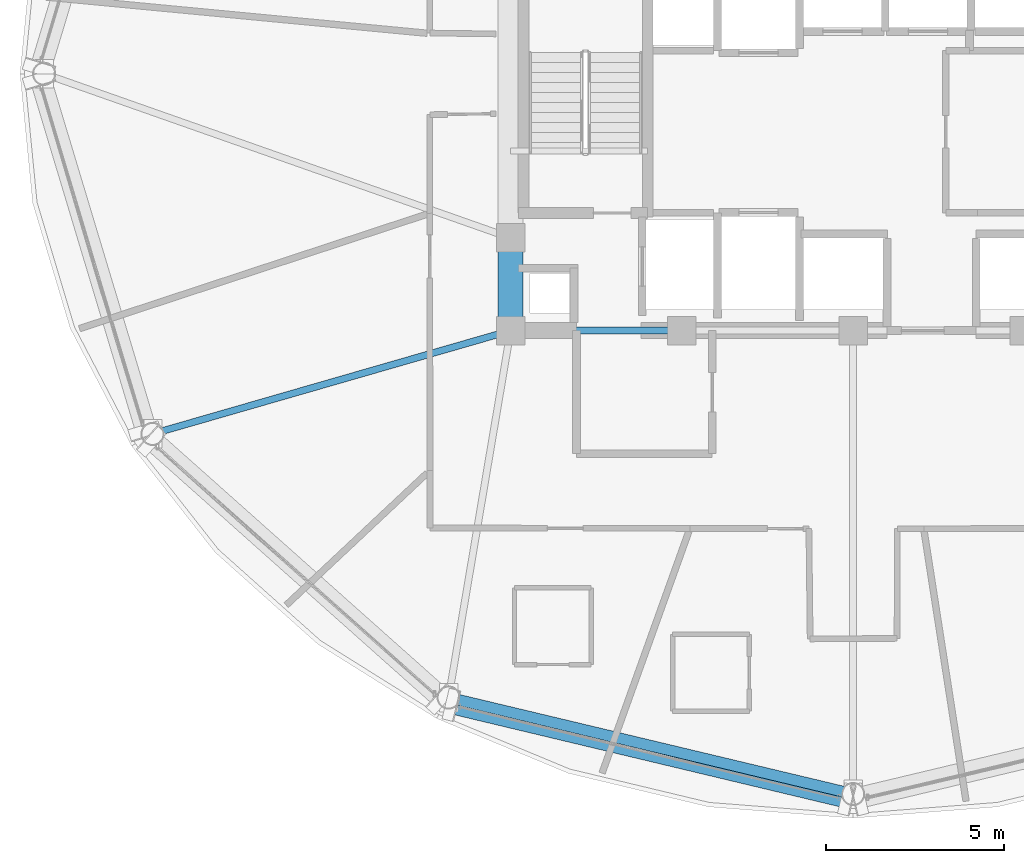
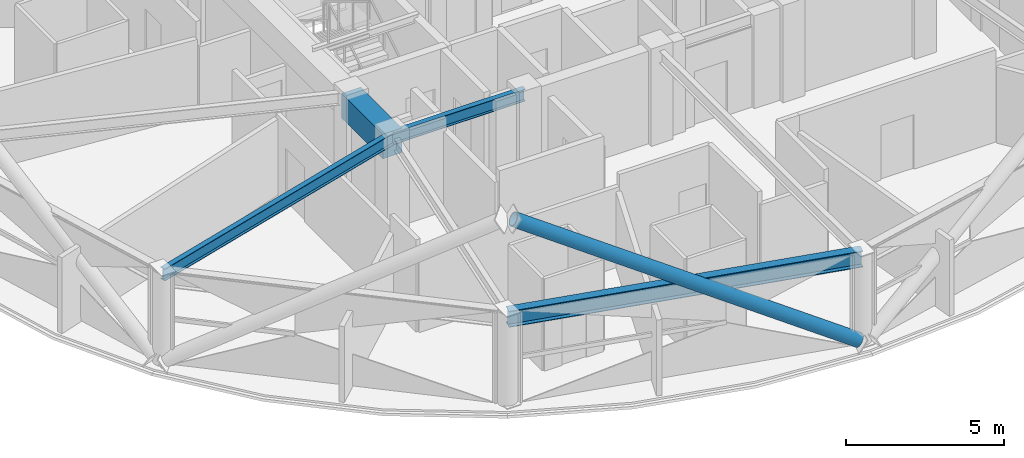
# One storey, part 4 of 30: 4 beams, 1 member.
"""IFC4 building model written with IfcOpenShell, lengths in metres."""

from ifc_helpers import new_model, si_unit, direction, frame, origin, origin_2d, place, context, subcontext, project, spatial, rectangle, hollow_circle, i_section, extrude, material, material_profile, profile_set, type_object, element, save


model = new_model("IFC4")

# Units and contexts
model_context = context("Model", 3, precision=1e-05, world=origin(), true_north=direction((0.0, 1.0)))
body_context = subcontext(model_context, "Body", "Model", "MODEL_VIEW")
ifc_project = project(units=[si_unit("LENGTHUNIT", "METRE"), si_unit("AREAUNIT", "SQUARE_METRE"), si_unit("VOLUMEUNIT", "CUBIC_METRE"), si_unit("PLANEANGLEUNIT", "RADIAN"), si_unit("MASSUNIT", "GRAM", prefix="KILO")], contexts=[model_context])

# Site, building, storey
site_placement = place(None, origin())
site = spatial("IfcSite", under=ifc_project, at=site_placement, CompositionType="ELEMENT")
building_placement = place(site_placement, origin())
building = spatial("IfcBuilding", under=site, at=building_placement, Name="Vantalir Tower", CompositionType="ELEMENT")
storey_placement = place(building_placement, frame((0.0, 0.0, 189.89990234375)))
storey = spatial("IfcBuildingStorey", under=building, at=storey_placement, Name="L47", CompositionType="ELEMENT", Elevation=189.89990234375)

# Beams
ifc_material_1 = material(Name="Concrete C60/75", Category="concrete")
ifc_material_profile_1 = material_profile(ifc_material_1, rectangle(XDim=0.699951171875, YDim=0.949951171875, at=origin_2d()), Name="Concrete C60/75")
ifc_profile_set_1 = profile_set([ifc_material_profile_1], Name="Concrete C60/75")
beam_type_1 = type_object("IfcBeamType", Name="BM-CB-700x950", PredefinedType="USERDEFINED", material=ifc_profile_set_1)
beam_1_placement = place(storey_placement, frame((21.89990234375, 20.39990234375, 3.09521484375), z_axis=(0.0, -1.0, 0.0), x_axis=(1.0, 0.0, 0.0)))
element("IfcBeam", 1, at=beam_1_placement, inside=storey, type_object=beam_type_1, Name="L47 Core Coupling Girder 14", ObjectType="GIRDER", PredefinedType="USERDEFINED", context=body_context, shape_type="SweptSolid", body=[
    extrude(rectangle(XDim=0.699951171875, YDim=0.949951171875, at=origin_2d()), origin(), (0.0, 0.0, 1.0), 2.599853515625),
])
ifc_material_2 = material(Name="Steel S355", Category="steel")
ifc_material_profile_2 = material_profile(ifc_material_2, i_section(OverallWidth=0.19189453125, OverallDepth=0.462890625, WebThickness=0.010498046875, FlangeThickness=0.017578125, at=origin_2d()), Name="Steel S355")
ifc_profile_set_2 = profile_set([ifc_material_profile_2], Name="Steel S355")
beam_type_2 = type_object("IfcBeamType", Name="BM-RB-457x191", PredefinedType="BEAM", material=ifc_profile_set_2)
beam_2_placement = place(storey_placement, frame((21.89990234375, 17.800048828125, 3.338134765625), z_axis=(1.0, 0.0, 0.0), x_axis=(0.0, 1.0, 0.0)))
element("IfcBeam", 2, at=beam_2_placement, inside=storey, type_object=beam_type_2, Name="L47 Core Coupling Girder 01", PredefinedType="BEAM", context=body_context, shape_type="SweptSolid", body=[
    extrude(i_section(OverallWidth=0.19189453125, OverallDepth=0.462890625, WebThickness=0.010498046875, FlangeThickness=0.017578125, at=origin_2d()), origin(), (0.0, 0.0, 1.0), 4.800048828125),
])
beam_3_placement = place(storey_placement, frame((11.862060546875, 14.906005859375, 3.338134765625), z_axis=(0.960861521684, 0.277029125089, 0.0), x_axis=(-0.277029125089, 0.960861521684, 0.0)))
element("IfcBeam", 3, at=beam_3_placement, inside=storey, type_object=beam_type_2, Name="L47 Radial Floor Beam 08", PredefinedType="BEAM", context=body_context, shape_type="SweptSolid", body=[
    extrude(i_section(OverallWidth=0.19189453125, OverallDepth=0.462890625, WebThickness=0.010498046875, FlangeThickness=0.017578125, at=origin_2d()), origin(), (0.0, 0.0, 1.0), 10.44677734375),
])
ifc_material_3 = material(Name="Steel S460", Category="steel")
ifc_material_profile_3 = material_profile(ifc_material_3, i_section(OverallWidth=0.306884765625, OverallDepth=0.6201171875, WebThickness=0.01416015625, FlangeThickness=0.023681640625, at=origin_2d()), Name="Steel S460")
ifc_profile_set_3 = profile_set([ifc_material_profile_3], Name="Steel S460")
beam_type_3 = type_object("IfcBeamType", Name="BM-RG-610x305", PredefinedType="USERDEFINED", material=ifc_profile_set_3)
beam_4_placement = place(storey_placement, frame((20.162109375, 7.51708984375, 3.260009765625), z_axis=(0.972698236559, -0.232073567206, 0.0), x_axis=(0.232073567206, 0.972698236559, 0.0)))
element("IfcBeam", 4, at=beam_4_placement, inside=storey, type_object=beam_type_3, Name="L47 Circumferential Ring Girder 09", ObjectType="GIRDER", PredefinedType="USERDEFINED", context=body_context, shape_type="SweptSolid", body=[
    extrude(i_section(OverallWidth=0.306884765625, OverallDepth=0.6201171875, WebThickness=0.01416015625, FlangeThickness=0.023681640625, at=origin_2d()), origin(), (0.0, 0.0, 1.0), 11.656005859375),
])

# Member
ifc_material_profile_4 = material_profile(ifc_material_3, hollow_circle(Radius=0.25, WallThickness=0.031982421875, at=origin_2d()), Name="Steel S460")
ifc_profile_set_4 = profile_set([ifc_material_profile_4], Name="Steel S460")
member_type = type_object("IfcMemberType", Name="MEM-DB-500x32", PredefinedType="BRACE", material=ifc_profile_set_4)
member_placement = place(storey_placement, frame((31.31689453125, 4.666015625, 0.194091796875), z_axis=(-0.83064800481, 0.198307361748, 0.520286538728), x_axis=(-0.232212267374, -0.972665133991, 0.0)))
element("IfcMember", 5, at=member_placement, inside=storey, type_object=member_type, Name="L47 Perimeter S460 Diagrid Brace R28R", PredefinedType="BRACE", context=body_context, shape_type="SweptSolid", body=[
    extrude(hollow_circle(Radius=0.25, WallThickness=0.031982421875, at=origin_2d()), origin(), (0.0, 0.0, 1.0), 13.3232421875),
])

save(model, "model.ifc")
